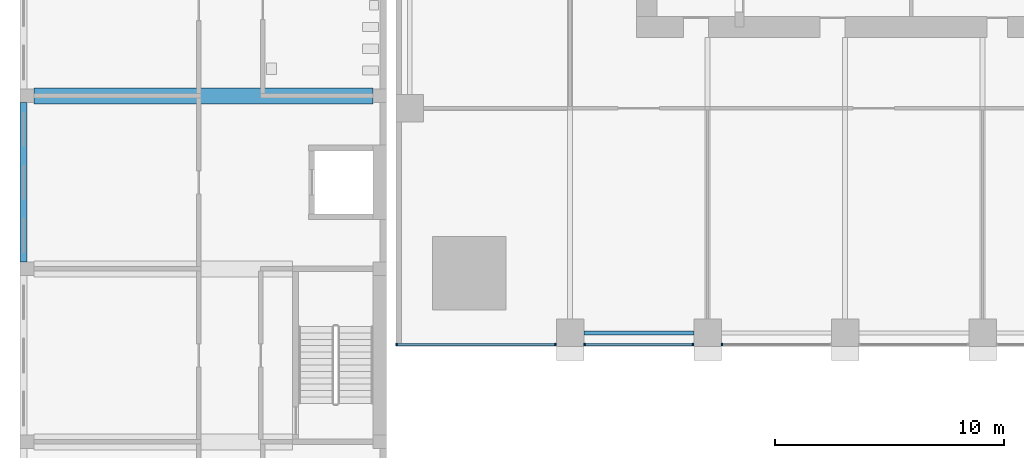
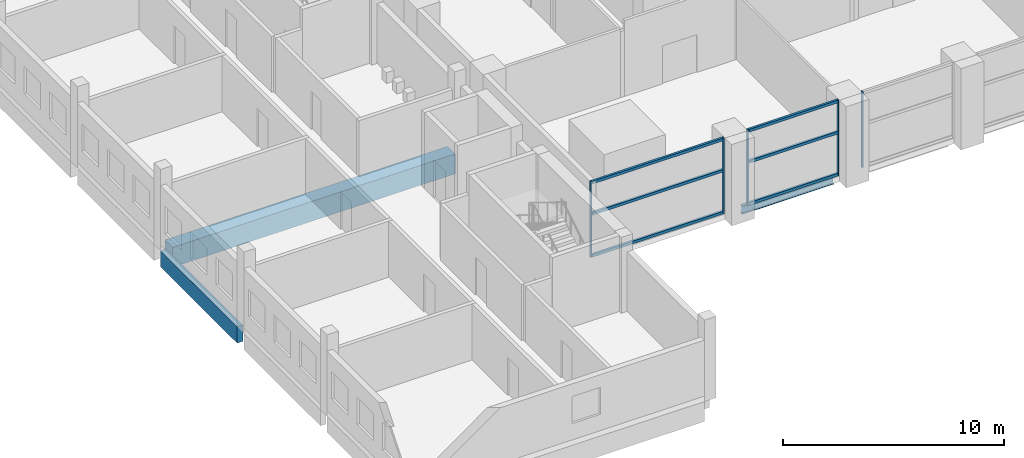
# One storey, part 2 of 34: 11 members, 3 beams, 3 elements without a shape of their own.
"""IFC4 building model written with IfcOpenShell, lengths in metres."""

import ifcopenshell
import ifcopenshell.guid

model = None  # the IFC model being written
_history = None  # IfcOwnerHistory: only IFC2X3 demands one
_inside = {}  # id of a spatial element -> (the spatial element, [elements in it])
_under = {}  # id of a project, library or spatial element -> (it, [spatial elements below it])
_declared = {}  # id of a project -> (the project, [libraries it declares])
_typed = {}  # id of a type object -> (the type object, [elements of that type])
_made_of = {}  # id of a material, layer set ... -> (it, [elements and type objects made of it])


def new_model(schema):
    """Start an empty IFC model of exactly this schema.

    Asked for "IFC4X3", IfcOpenShell would pick the latest addendum, in which some entities
    have other attributes; the version numbers below select the first issue.
    IFC2X3 requires an IfcOwnerHistory on every rooted entity: one is made here for all.
    """
    global model, _history
    if schema == "IFC4X3":
        model = ifcopenshell.file(schema_version=(4, 3, 0, 0))
    else:
        model = ifcopenshell.file(schema=schema)
    _inside.clear()
    _under.clear()
    _declared.clear()
    _typed.clear()
    _made_of.clear()
    _history = None
    if model.schema == "IFC2X3":
        org = make("IfcOrganization", Name="unknown")
        user = make(
            "IfcPersonAndOrganization",
            ThePerson=make("IfcPerson", FamilyName="unknown"),
            TheOrganization=org,
        )
        app = make(
            "IfcApplication",
            ApplicationDeveloper=org,
            Version="unknown",
            ApplicationFullName="unknown",
            ApplicationIdentifier="unknown",
        )
        _history = make(
            "IfcOwnerHistory",
            OwningUser=user,
            OwningApplication=app,
            ChangeAction="ADDED",
            CreationDate=0,
        )
    return model


def make(cls, **values):
    """One entity of the class cls with the attributes given. An attribute that is None is left unset."""
    return model.create_entity(
        cls, **{name: value for name, value in values.items() if value is not None}
    )


def rooted(cls, **values):
    """An entity with a GlobalId (a new one), such as an element, a storey or a relation."""
    return make(cls, GlobalId=ifcopenshell.guid.new(), OwnerHistory=_history, **values)


def si_unit(unit_type, name, prefix=None):
    """IfcSIUnit, for example si_unit("LENGTHUNIT", "METRE", prefix="MILLI")."""
    return make("IfcSIUnit", UnitType=unit_type, Prefix=prefix, Name=name)


def assignment(units):
    """IfcUnitAssignment: the units of a project."""
    return None if units is None else make("IfcUnitAssignment", Units=units)


def point(xyz):
    """IfcCartesianPoint."""
    return None if xyz is None else make("IfcCartesianPoint", Coordinates=xyz)


def direction(xyz):
    """IfcDirection."""
    return None if xyz is None else make("IfcDirection", DirectionRatios=xyz)


def frame(location, z_axis=None, x_axis=None):
    """IfcAxis2Placement3D, a coordinate frame: its origin and axes. An axis left out is left unset."""
    return make(
        "IfcAxis2Placement3D",
        Location=point(location),
        Axis=direction(z_axis),
        RefDirection=direction(x_axis),
    )


def frame_2d(location, x_axis=None):
    """IfcAxis2Placement2D, a coordinate frame in the plane: its origin and x axis."""
    return make(
        "IfcAxis2Placement2D", Location=point(location), RefDirection=direction(x_axis)
    )


def origin():
    """The frame at (0, 0, 0) with its axes left unset."""
    return frame((0.0, 0.0, 0.0))


def origin_2d():
    """The frame at (0, 0) in the plane with its x axis left unset."""
    return frame_2d((0.0, 0.0))


def place(relative_to, where):
    """IfcLocalPlacement: puts the frame where relative to a parent placement (None: the world)."""
    return make(
        "IfcLocalPlacement", PlacementRelTo=relative_to, RelativePlacement=where
    )


def context(
    kind, dimensions, precision=None, world=None, true_north=None, identifier=None
):
    """IfcGeometricRepresentationContext, for example the 3D "Model" context."""
    return make(
        "IfcGeometricRepresentationContext",
        ContextIdentifier=identifier,
        ContextType=kind,
        CoordinateSpaceDimension=dimensions,
        Precision=precision,
        WorldCoordinateSystem=world,
        TrueNorth=true_north,
    )


def subcontext(parent, identifier, kind, view, scale=None):
    """IfcGeometricRepresentationSubContext, for example "Body" below "Model"."""
    return make(
        "IfcGeometricRepresentationSubContext",
        ContextIdentifier=identifier,
        ContextType=kind,
        ParentContext=parent,
        TargetScale=scale,
        TargetView=view,
    )


def project(units=None, contexts=None):
    """IfcProject with its units and contexts."""
    return rooted(
        "IfcProject",
        Name="project",
        RepresentationContexts=contexts,
        UnitsInContext=assignment(units),
    )


def spatial(cls, under=None, at=None, **own):
    """A site, building, storey or space (cls), placed at a placement, below another one or the project."""
    s = rooted(cls, ObjectPlacement=at, **own)
    if under is not None:
        _under.setdefault(under.id(), (under, []))[1].append(s)
    return s


def profile(cls, at=None, kind="AREA", **sizes):
    """A parametric profile (cls). Its sizes go by their IFC names, for example OverallWidth=200.0."""
    return make(cls, ProfileType=kind, Position=at, **sizes)


def rectangle(**sizes):
    """IfcRectangleProfileDef."""
    return profile("IfcRectangleProfileDef", **sizes)


def i_section(**sizes):
    """IfcIShapeProfileDef."""
    return profile("IfcIShapeProfileDef", **sizes)


def extrude(swept, where, along, depth):
    """IfcExtrudedAreaSolid: the profile swept, set in the frame where, extruded along a direction by depth."""
    return make(
        "IfcExtrudedAreaSolid",
        SweptArea=swept,
        Position=where,
        ExtrudedDirection=direction(along),
        Depth=depth,
    )


def shape(context_of_items, identifier, shape_type, items):
    """IfcShapeRepresentation: the items that make up one representation, for example the "Body"."""
    return make(
        "IfcShapeRepresentation",
        ContextOfItems=context_of_items,
        RepresentationIdentifier=identifier,
        RepresentationType=shape_type,
        Items=items,
    )


def material(Name=None, Category=None):
    """IfcMaterial."""
    return make("IfcMaterial", Name=Name, Category=Category)


def material_profile(
    of_material, cross_section, Name=None, Category=None, Priority=None
):
    """IfcMaterialProfile: a cross section and its material."""
    return make(
        "IfcMaterialProfile",
        Name=Name,
        Material=of_material,
        Profile=cross_section,
        Priority=Priority,
        Category=Category,
    )


def profile_set(profiles, Name=None, composite=None):
    """IfcMaterialProfileSet."""
    return make(
        "IfcMaterialProfileSet",
        Name=Name,
        MaterialProfiles=profiles,
        CompositeProfile=composite,
    )


def made_of(thing, what):
    """Note that an element or type object is made of a material, layer set ...; save() writes the relation."""
    if what is not None:
        _made_of.setdefault(what.id(), (what, []))[1].append(thing)
    return thing


def type_object(cls, material=None, **own):
    """A type object (cls), such as IfcWallType, which elements share."""
    return made_of(rooted(cls, **own), material)


def element(
    cls,
    number,
    at=None,
    inside=None,
    cuts=None,
    type_object=None,
    material=None,
    context=None,
    identifier="Body",
    shape_type=None,
    held_by="IfcProductDefinitionShape",
    body=None,
    shapes=None,
    **own,
):
    """One element of the class cls, such as IfcWall. Its Tag is "e" and its number.

    at: its placement. inside: the storey or other place that contains it. cuts: it is an
    opening in that element (IfcRelVoidsElement). A single representation is given by context,
    identifier, shape_type and body (its items); several are given by shapes. held_by: the class
    of the entity that holds the representations. save() writes the other relations.
    """
    e = rooted(cls, Tag="e%d" % number, ObjectPlacement=at, **own)
    if body is not None:
        shapes = [shape(context, identifier, shape_type, body)]
    if shapes is not None:
        e.Representation = make(held_by, Representations=shapes)
    if inside is not None:
        _inside.setdefault(inside.id(), (inside, []))[1].append(e)
    if cuts is not None:
        rooted(
            "IfcRelVoidsElement", RelatingBuildingElement=cuts, RelatedOpeningElement=e
        )
    if type_object is not None:
        _typed.setdefault(type_object.id(), (type_object, []))[1].append(e)
    return made_of(e, material)


def aggregate(whole, parts):
    """IfcRelAggregates: a whole, such as a stair, and the parts it consists of."""
    return rooted("IfcRelAggregates", RelatingObject=whole, RelatedObjects=parts)


def save(model, path):
    """Write the relations noted so far, then the file.

    IfcRelAggregates (storeys below a building ...), IfcRelContainedInSpatialStructure (elements
    in a storey), IfcRelDefinesByType, IfcRelAssociatesMaterial and IfcRelDeclares: one each for
    every whole, place, type object, material and project.
    """
    for whole, parts in _under.values():
        aggregate(whole, parts)
    for where, things in _inside.values():
        rooted(
            "IfcRelContainedInSpatialStructure",
            RelatedElements=things,
            RelatingStructure=where,
        )
    for kind, things in _typed.values():
        rooted("IfcRelDefinesByType", RelatedObjects=things, RelatingType=kind)
    for what, things in _made_of.values():
        rooted("IfcRelAssociatesMaterial", RelatedObjects=things, RelatingMaterial=what)
    for by, libraries in _declared.values():
        rooted("IfcRelDeclares", RelatingContext=by, RelatedDefinitions=libraries)
    model.write(path)


model = new_model("IFC4")

# Units and contexts
model_context = context("Model", 3, precision=1e-05, world=origin(), true_north=direction((0.0, 1.0)))
body_context = subcontext(model_context, "Body", "Model", "MODEL_VIEW")
ifc_project = project(units=[si_unit("LENGTHUNIT", "METRE"), si_unit("AREAUNIT", "SQUARE_METRE"), si_unit("VOLUMEUNIT", "CUBIC_METRE"), si_unit("PLANEANGLEUNIT", "RADIAN"), si_unit("MASSUNIT", "GRAM", prefix="KILO")], contexts=[model_context])

# Site, building, storey
site_placement = place(None, origin())
site = spatial("IfcSite", under=ifc_project, at=site_placement, CompositionType="ELEMENT")
building_placement = place(site_placement, origin())
building = spatial("IfcBuilding", under=site, at=building_placement, Name="Amberfall Residences", CompositionType="ELEMENT")
storey_placement = place(building_placement, frame((0.0, 0.0, 5.5)))
storey = spatial("IfcBuildingStorey", under=building, at=storey_placement, Name="L01", CompositionType="ELEMENT", Elevation=5.5)

# Curtain wall, members
ifc_material_1 = material(Name="Bronze anodised aluminium and glass", Category="aluminium")
curtain_wall_type = type_object("IfcCurtainWallType", Name="Curtain wall CW4 podium storefront", PredefinedType="USERDEFINED", material=ifc_material_1)
curtain_wall_1_placement = place(storey_placement, origin())
curtain_wall_1 = element("IfcCurtainWall", 1, at=curtain_wall_1_placement, inside=storey, type_object=curtain_wall_type, Name="Storefront L01 S1", ObjectType="UNITISED CURTAIN WALL", PredefinedType="USERDEFINED")
ifc_material_2 = material(Name="Bronze anodised aluminium", Category="aluminium")
ifc_material_profile_1 = material_profile(ifc_material_2, rectangle(XDim=0.1201171875, YDim=0.070068359375, at=origin_2d()), Name="CW4 mullion 70 x 120 bronze")
ifc_profile_set_1 = profile_set([ifc_material_profile_1], Name="Bronze anodised aluminium")
member_type_1 = type_object("IfcMemberType", Name="CW4 mullion 70 x 120 bronze", PredefinedType="MULLION", material=ifc_profile_set_1)
member_1_placement = place(storey_placement, frame((52.034912109375, 20.10009765625, 0.0), z_axis=(0.0, 0.0, 1.0), x_axis=(0.0, 1.0, 0.0)))
member_1 = element("IfcMember", 2, at=member_1_placement, type_object=member_type_1, Name="CW4 mullion 1", PredefinedType="MULLION", context=body_context, shape_type="SweptSolid", body=[
    extrude(rectangle(XDim=0.1201171875, YDim=0.070068359375, at=origin_2d()), origin(), (0.0, 0.0, 1.0), 4.199951171875),
])
member_2_placement = place(storey_placement, frame((58.965087890625, 20.10009765625, 0.0), z_axis=(0.0, 0.0, 1.0), x_axis=(0.0, 1.0, 0.0)))
member_2 = element("IfcMember", 3, at=member_2_placement, type_object=member_type_1, Name="CW4 mullion 2", PredefinedType="MULLION", context=body_context, shape_type="SweptSolid", body=[
    extrude(rectangle(XDim=0.1201171875, YDim=0.070068359375, at=origin_2d()), origin(), (0.0, 0.0, 1.0), 4.199951171875),
])

curtain_wall_2_placement = place(storey_placement, origin())
curtain_wall_2 = element("IfcCurtainWall", 4, at=curtain_wall_2_placement, inside=storey, type_object=curtain_wall_type, Name="Storefront L01 S2", ObjectType="UNITISED CURTAIN WALL", PredefinedType="USERDEFINED")
member_3_placement = place(storey_placement, frame((60.235107421875, 20.10009765625, 0.0), z_axis=(0.0, 0.0, 1.0), x_axis=(0.0, 1.0, 0.0)))
member_3 = element("IfcMember", 5, at=member_3_placement, type_object=member_type_1, Name="CW4 mullion 1", PredefinedType="MULLION", context=body_context, shape_type="SweptSolid", body=[
    extrude(rectangle(XDim=0.1201171875, YDim=0.070068359375, at=origin_2d()), origin(), (0.0, 0.0, 1.0), 4.199951171875),
])
member_4_placement = place(storey_placement, frame((64.965087890625, 20.10009765625, 0.0), z_axis=(0.0, 0.0, 1.0), x_axis=(0.0, 1.0, 0.0)))
member_4 = element("IfcMember", 6, at=member_4_placement, type_object=member_type_1, Name="CW4 mullion 2", PredefinedType="MULLION", context=body_context, shape_type="SweptSolid", body=[
    extrude(rectangle(XDim=0.1201171875, YDim=0.070068359375, at=origin_2d()), origin(), (0.0, 0.0, 1.0), 4.199951171875),
])

# Curtain wall, member
curtain_wall_3_placement = place(storey_placement, origin())
curtain_wall_3 = element("IfcCurtainWall", 7, at=curtain_wall_3_placement, inside=storey, type_object=curtain_wall_type, Name="Storefront L01 S3", ObjectType="UNITISED CURTAIN WALL", PredefinedType="USERDEFINED")
member_5_placement = place(storey_placement, frame((66.235107421875, 20.10009765625, 0.0), z_axis=(0.0, 0.0, 1.0), x_axis=(0.0, 1.0, 0.0)))
member_5 = element("IfcMember", 8, at=member_5_placement, type_object=member_type_1, Name="CW4 mullion 1", PredefinedType="MULLION", context=body_context, shape_type="SweptSolid", body=[
    extrude(rectangle(XDim=0.1201171875, YDim=0.070068359375, at=origin_2d()), origin(), (0.0, 0.0, 1.0), 4.199951171875),
])
aggregate(curtain_wall_3, [member_5])

# Member
ifc_material_profile_2 = material_profile(ifc_material_2, rectangle(XDim=0.1201171875, YDim=0.14990234375, at=origin_2d()), Name="CW4 transom 120 x 150 bronze")
ifc_profile_set_2 = profile_set([ifc_material_profile_2], Name="Bronze anodised aluminium")
member_type_2 = type_object("IfcMemberType", Name="CW4 transom 120 x 150 bronze", PredefinedType="USERDEFINED", material=ifc_profile_set_2)
member_6_placement = place(storey_placement, frame((52.070068359375, 20.10009765625, 0.074951171875), z_axis=(1.0, 0.0, 0.0), x_axis=(0.0, 1.0, 0.0)))
member_6 = element("IfcMember", 9, at=member_6_placement, type_object=member_type_2, Name="CW4 transom 1.1", ObjectType="TRANSOM", PredefinedType="USERDEFINED", context=body_context, shape_type="SweptSolid", body=[
    extrude(rectangle(XDim=0.1201171875, YDim=0.14990234375, at=origin_2d()), origin(), (0.0, 0.0, 1.0), 6.85986328125),
])

member_7_placement = place(storey_placement, frame((52.070068359375, 20.10009765625, 2.39990234375), z_axis=(1.0, 0.0, 0.0), x_axis=(0.0, 1.0, 0.0)))
member_7 = element("IfcMember", 10, at=member_7_placement, type_object=member_type_2, Name="CW4 transom 1.2", ObjectType="TRANSOM", PredefinedType="USERDEFINED", context=body_context, shape_type="SweptSolid", body=[
    extrude(rectangle(XDim=0.1201171875, YDim=0.14990234375, at=origin_2d()), origin(), (0.0, 0.0, 1.0), 6.85986328125),
])

member_8_placement = place(storey_placement, frame((52.070068359375, 20.10009765625, 4.125), z_axis=(1.0, 0.0, 0.0), x_axis=(0.0, 1.0, 0.0)))
member_8 = element("IfcMember", 11, at=member_8_placement, type_object=member_type_2, Name="CW4 transom 1.3", ObjectType="TRANSOM", PredefinedType="USERDEFINED", context=body_context, shape_type="SweptSolid", body=[
    extrude(rectangle(XDim=0.1201171875, YDim=0.14990234375, at=origin_2d()), origin(), (0.0, 0.0, 1.0), 6.85986328125),
])

aggregate(curtain_wall_1, [member_1, member_2, member_6, member_7, member_8])

member_9_placement = place(storey_placement, frame((60.27001953125, 20.10009765625, 0.074951171875), z_axis=(1.0, 0.0, 0.0), x_axis=(0.0, 1.0, 0.0)))
member_9 = element("IfcMember", 12, at=member_9_placement, type_object=member_type_2, Name="CW4 transom 1.1", ObjectType="TRANSOM", PredefinedType="USERDEFINED", context=body_context, shape_type="SweptSolid", body=[
    extrude(rectangle(XDim=0.1201171875, YDim=0.14990234375, at=origin_2d()), origin(), (0.0, 0.0, 1.0), 4.659912109375),
])

member_10_placement = place(storey_placement, frame((60.27001953125, 20.10009765625, 2.39990234375), z_axis=(1.0, 0.0, 0.0), x_axis=(0.0, 1.0, 0.0)))
member_10 = element("IfcMember", 13, at=member_10_placement, type_object=member_type_2, Name="CW4 transom 1.2", ObjectType="TRANSOM", PredefinedType="USERDEFINED", context=body_context, shape_type="SweptSolid", body=[
    extrude(rectangle(XDim=0.1201171875, YDim=0.14990234375, at=origin_2d()), origin(), (0.0, 0.0, 1.0), 4.659912109375),
])

member_11_placement = place(storey_placement, frame((60.27001953125, 20.10009765625, 4.125), z_axis=(1.0, 0.0, 0.0), x_axis=(0.0, 1.0, 0.0)))
member_11 = element("IfcMember", 14, at=member_11_placement, type_object=member_type_2, Name="CW4 transom 1.3", ObjectType="TRANSOM", PredefinedType="USERDEFINED", context=body_context, shape_type="SweptSolid", body=[
    extrude(rectangle(XDim=0.1201171875, YDim=0.14990234375, at=origin_2d()), origin(), (0.0, 0.0, 1.0), 4.659912109375),
])

aggregate(curtain_wall_2, [member_3, member_4, member_9, member_10, member_11])

# Beams
ifc_material_3 = material(Name="Steel S355", Category="steel")
ifc_material_profile_3 = material_profile(ifc_material_3, i_section(OverallWidth=0.18994140625, OverallDepth=0.453369140625, WebThickness=0.008544921875, FlangeThickness=0.0126953125, FilletRadius=0.01025390625, at=origin_2d()), Name="UB 457x191x67")
ifc_profile_set_3 = profile_set([ifc_material_profile_3], Name="Steel S355")
beam_type_1 = type_object("IfcBeamType", Name="Edge beam UB 457x191x67", PredefinedType="SPANDREL", material=ifc_profile_set_3)
beam_1_placement = place(storey_placement, frame((60.199951171875, 20.60009765625, -0.526611328125), z_axis=(1.0, 0.0, 0.0), x_axis=(0.0, 1.0, 0.0)))
element("IfcBeam", 15, at=beam_1_placement, inside=storey, type_object=beam_type_1, Name="Edge beam B1 L01 01", PredefinedType="SPANDREL", context=body_context, shape_type="SweptSolid", body=[
    extrude(i_section(OverallWidth=0.18994140625, OverallDepth=0.453369140625, WebThickness=0.008544921875, FlangeThickness=0.0126953125, FilletRadius=0.01025390625, at=origin_2d()), origin(), (0.0, 0.0, 1.0), 4.800048828125),
])
ifc_material_4 = material(Name="Concrete C40", Category="concrete")
ifc_material_profile_4 = material_profile(ifc_material_4, rectangle(XDim=0.699951171875, YDim=1.10009765625, at=origin_2d()), Name="School beam 700 x 1100 C40")
ifc_profile_set_4 = profile_set([ifc_material_profile_4], Name="Concrete C40")
beam_type_2 = type_object("IfcBeamType", Name="School beam 700 x 1100 C40", PredefinedType="BEAM", material=ifc_profile_set_4)
beam_2_placement = place(storey_placement, frame((36.199951171875, 30.949951171875, -0.85009765625), z_axis=(1.0, 0.0, 0.0), x_axis=(0.0, 1.0, 0.0)))
element("IfcBeam", 16, at=beam_2_placement, inside=storey, type_object=beam_type_2, Name="TW3", PredefinedType="BEAM", context=body_context, shape_type="SweptSolid", body=[
    extrude(rectangle(XDim=0.699951171875, YDim=1.10009765625, at=origin_2d()), origin(), (0.0, 0.0, 1.0), 14.800048828125),
])
ifc_material_profile_5 = material_profile(ifc_material_4, rectangle(XDim=0.300048828125, YDim=0.89990234375, at=origin_2d()), Name="School edge beam 300 x 900 C40")
ifc_profile_set_5 = profile_set([ifc_material_profile_5], Name="Concrete C40")
beam_type_3 = type_object("IfcBeamType", Name="School edge beam 300 x 900 C40", PredefinedType="BEAM", material=ifc_profile_set_5)
beam_3_placement = place(storey_placement, frame((35.75, 23.699951171875, -0.75), z_axis=(0.0, 1.0, 0.0), x_axis=(-1.0, 0.0, 0.0)))
element("IfcBeam", 17, at=beam_3_placement, inside=storey, type_object=beam_type_3, Name="GW2", PredefinedType="BEAM", context=body_context, shape_type="SweptSolid", body=[
    extrude(rectangle(XDim=0.300048828125, YDim=0.89990234375, at=origin_2d()), origin(), (0.0, 0.0, 1.0), 6.949951171875),
])

save(model, "model.ifc")
